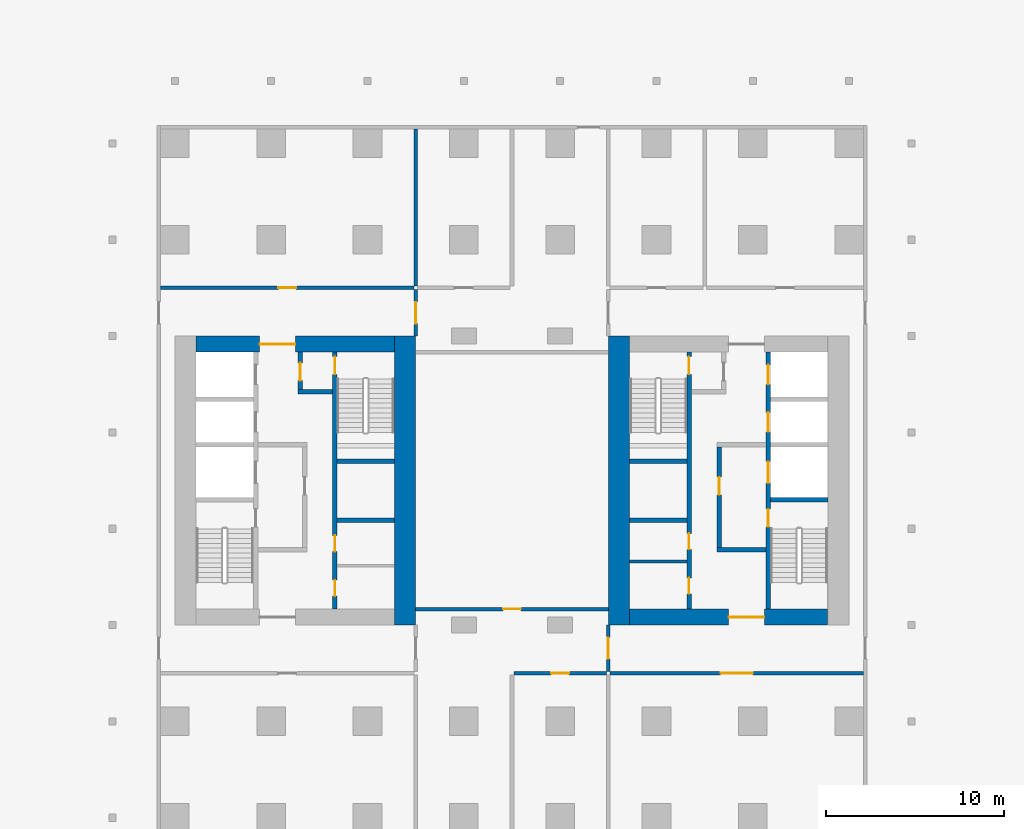
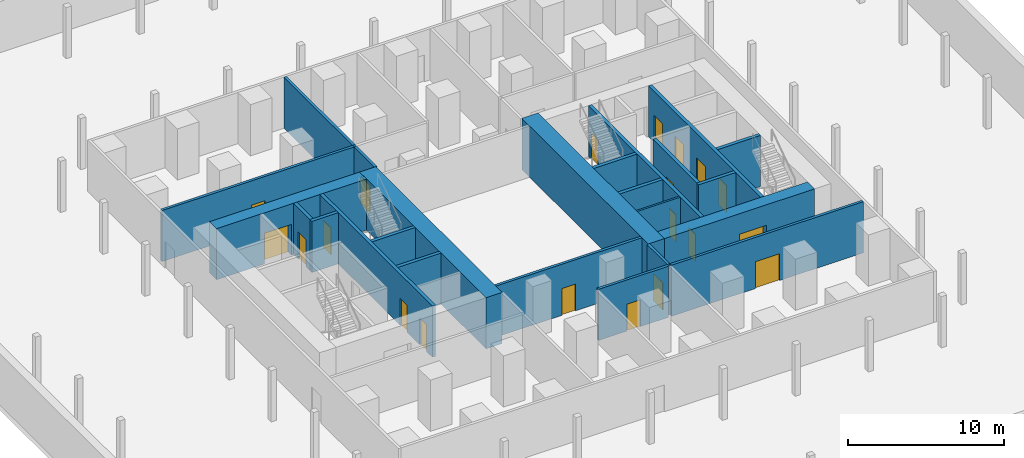
# One storey, part 3 of 6: 24 walls, 20 doors, 20 openings.
"""IFC4 building model written with IfcOpenShell, lengths in metres."""

import ifcopenshell
import ifcopenshell.guid

model = None  # the IFC model being written
_history = None  # IfcOwnerHistory: only IFC2X3 demands one
_inside = {}  # id of a spatial element -> (the spatial element, [elements in it])
_under = {}  # id of a project, library or spatial element -> (it, [spatial elements below it])
_declared = {}  # id of a project -> (the project, [libraries it declares])
_typed = {}  # id of a type object -> (the type object, [elements of that type])
_made_of = {}  # id of a material, layer set ... -> (it, [elements and type objects made of it])


def new_model(schema):
    """Start an empty IFC model of exactly this schema.

    Asked for "IFC4X3", IfcOpenShell would pick the latest addendum, in which some entities
    have other attributes; the version numbers below select the first issue.
    IFC2X3 requires an IfcOwnerHistory on every rooted entity: one is made here for all.
    """
    global model, _history
    if schema == "IFC4X3":
        model = ifcopenshell.file(schema_version=(4, 3, 0, 0))
    else:
        model = ifcopenshell.file(schema=schema)
    _inside.clear()
    _under.clear()
    _declared.clear()
    _typed.clear()
    _made_of.clear()
    _history = None
    if model.schema == "IFC2X3":
        org = make("IfcOrganization", Name="unknown")
        user = make(
            "IfcPersonAndOrganization",
            ThePerson=make("IfcPerson", FamilyName="unknown"),
            TheOrganization=org,
        )
        app = make(
            "IfcApplication",
            ApplicationDeveloper=org,
            Version="unknown",
            ApplicationFullName="unknown",
            ApplicationIdentifier="unknown",
        )
        _history = make(
            "IfcOwnerHistory",
            OwningUser=user,
            OwningApplication=app,
            ChangeAction="ADDED",
            CreationDate=0,
        )
    return model


def make(cls, **values):
    """One entity of the class cls with the attributes given. An attribute that is None is left unset."""
    return model.create_entity(
        cls, **{name: value for name, value in values.items() if value is not None}
    )


def rooted(cls, **values):
    """An entity with a GlobalId (a new one), such as an element, a storey or a relation."""
    return make(cls, GlobalId=ifcopenshell.guid.new(), OwnerHistory=_history, **values)


def si_unit(unit_type, name, prefix=None):
    """IfcSIUnit, for example si_unit("LENGTHUNIT", "METRE", prefix="MILLI")."""
    return make("IfcSIUnit", UnitType=unit_type, Prefix=prefix, Name=name)


def assignment(units):
    """IfcUnitAssignment: the units of a project."""
    return None if units is None else make("IfcUnitAssignment", Units=units)


def point(xyz):
    """IfcCartesianPoint."""
    return None if xyz is None else make("IfcCartesianPoint", Coordinates=xyz)


def direction(xyz):
    """IfcDirection."""
    return None if xyz is None else make("IfcDirection", DirectionRatios=xyz)


def frame(location, z_axis=None, x_axis=None):
    """IfcAxis2Placement3D, a coordinate frame: its origin and axes. An axis left out is left unset."""
    return make(
        "IfcAxis2Placement3D",
        Location=point(location),
        Axis=direction(z_axis),
        RefDirection=direction(x_axis),
    )


def frame_2d(location, x_axis=None):
    """IfcAxis2Placement2D, a coordinate frame in the plane: its origin and x axis."""
    return make(
        "IfcAxis2Placement2D", Location=point(location), RefDirection=direction(x_axis)
    )


def origin():
    """The frame at (0, 0, 0) with its axes left unset."""
    return frame((0.0, 0.0, 0.0))


def place(relative_to, where):
    """IfcLocalPlacement: puts the frame where relative to a parent placement (None: the world)."""
    return make(
        "IfcLocalPlacement", PlacementRelTo=relative_to, RelativePlacement=where
    )


def context(
    kind, dimensions, precision=None, world=None, true_north=None, identifier=None
):
    """IfcGeometricRepresentationContext, for example the 3D "Model" context."""
    return make(
        "IfcGeometricRepresentationContext",
        ContextIdentifier=identifier,
        ContextType=kind,
        CoordinateSpaceDimension=dimensions,
        Precision=precision,
        WorldCoordinateSystem=world,
        TrueNorth=true_north,
    )


def subcontext(parent, identifier, kind, view, scale=None):
    """IfcGeometricRepresentationSubContext, for example "Body" below "Model"."""
    return make(
        "IfcGeometricRepresentationSubContext",
        ContextIdentifier=identifier,
        ContextType=kind,
        ParentContext=parent,
        TargetScale=scale,
        TargetView=view,
    )


def project(units=None, contexts=None):
    """IfcProject with its units and contexts."""
    return rooted(
        "IfcProject",
        Name="project",
        RepresentationContexts=contexts,
        UnitsInContext=assignment(units),
    )


def spatial(cls, under=None, at=None, **own):
    """A site, building, storey or space (cls), placed at a placement, below another one or the project."""
    s = rooted(cls, ObjectPlacement=at, **own)
    if under is not None:
        _under.setdefault(under.id(), (under, []))[1].append(s)
    return s


def profile(cls, at=None, kind="AREA", **sizes):
    """A parametric profile (cls). Its sizes go by their IFC names, for example OverallWidth=200.0."""
    return make(cls, ProfileType=kind, Position=at, **sizes)


def rectangle(**sizes):
    """IfcRectangleProfileDef."""
    return profile("IfcRectangleProfileDef", **sizes)


def extrude(swept, where, along, depth):
    """IfcExtrudedAreaSolid: the profile swept, set in the frame where, extruded along a direction by depth."""
    return make(
        "IfcExtrudedAreaSolid",
        SweptArea=swept,
        Position=where,
        ExtrudedDirection=direction(along),
        Depth=depth,
    )


def shape(context_of_items, identifier, shape_type, items):
    """IfcShapeRepresentation: the items that make up one representation, for example the "Body"."""
    return make(
        "IfcShapeRepresentation",
        ContextOfItems=context_of_items,
        RepresentationIdentifier=identifier,
        RepresentationType=shape_type,
        Items=items,
    )


def material(Name=None, Category=None):
    """IfcMaterial."""
    return make("IfcMaterial", Name=Name, Category=Category)


def layer(
    of_material, thickness, ventilated=None, Name=None, Category=None, Priority=None
):
    """IfcMaterialLayer: one layer of a wall or slab, of a material (None: an air gap)."""
    return make(
        "IfcMaterialLayer",
        Material=of_material,
        LayerThickness=thickness,
        IsVentilated=ventilated,
        Name=Name,
        Category=Category,
        Priority=Priority,
    )


def layer_set(layers, Name=None):
    """IfcMaterialLayerSet."""
    return make("IfcMaterialLayerSet", MaterialLayers=layers, LayerSetName=Name)


def made_of(thing, what):
    """Note that an element or type object is made of a material, layer set ...; save() writes the relation."""
    if what is not None:
        _made_of.setdefault(what.id(), (what, []))[1].append(thing)
    return thing


def type_object(cls, material=None, **own):
    """A type object (cls), such as IfcWallType, which elements share."""
    return made_of(rooted(cls, **own), material)


def element(
    cls,
    number,
    at=None,
    inside=None,
    cuts=None,
    type_object=None,
    material=None,
    context=None,
    identifier="Body",
    shape_type=None,
    held_by="IfcProductDefinitionShape",
    body=None,
    shapes=None,
    **own,
):
    """One element of the class cls, such as IfcWall. Its Tag is "e" and its number.

    at: its placement. inside: the storey or other place that contains it. cuts: it is an
    opening in that element (IfcRelVoidsElement). A single representation is given by context,
    identifier, shape_type and body (its items); several are given by shapes. held_by: the class
    of the entity that holds the representations. save() writes the other relations.
    """
    e = rooted(cls, Tag="e%d" % number, ObjectPlacement=at, **own)
    if body is not None:
        shapes = [shape(context, identifier, shape_type, body)]
    if shapes is not None:
        e.Representation = make(held_by, Representations=shapes)
    if inside is not None:
        _inside.setdefault(inside.id(), (inside, []))[1].append(e)
    if cuts is not None:
        rooted(
            "IfcRelVoidsElement", RelatingBuildingElement=cuts, RelatedOpeningElement=e
        )
    if type_object is not None:
        _typed.setdefault(type_object.id(), (type_object, []))[1].append(e)
    return made_of(e, material)


def fill(opening, filler):
    """IfcRelFillsElement: the door or window that sits in an opening."""
    return rooted(
        "IfcRelFillsElement",
        RelatingOpeningElement=opening,
        RelatedBuildingElement=filler,
    )


def aggregate(whole, parts):
    """IfcRelAggregates: a whole, such as a stair, and the parts it consists of."""
    return rooted("IfcRelAggregates", RelatingObject=whole, RelatedObjects=parts)


def save(model, path):
    """Write the relations noted so far, then the file.

    IfcRelAggregates (storeys below a building ...), IfcRelContainedInSpatialStructure (elements
    in a storey), IfcRelDefinesByType, IfcRelAssociatesMaterial and IfcRelDeclares: one each for
    every whole, place, type object, material and project.
    """
    for whole, parts in _under.values():
        aggregate(whole, parts)
    for where, things in _inside.values():
        rooted(
            "IfcRelContainedInSpatialStructure",
            RelatedElements=things,
            RelatingStructure=where,
        )
    for kind, things in _typed.values():
        rooted("IfcRelDefinesByType", RelatedObjects=things, RelatingType=kind)
    for what, things in _made_of.values():
        rooted("IfcRelAssociatesMaterial", RelatedObjects=things, RelatingMaterial=what)
    for by, libraries in _declared.values():
        rooted("IfcRelDeclares", RelatingContext=by, RelatedDefinitions=libraries)
    model.write(path)


model = new_model("IFC4")

# Units and contexts
model_context = context("Model", 3, precision=1e-05, world=origin(), true_north=direction((0.0, 1.0)))
body_context = subcontext(model_context, "Body", "Model", "MODEL_VIEW")
ifc_project = project(units=[si_unit("LENGTHUNIT", "METRE"), si_unit("AREAUNIT", "SQUARE_METRE"), si_unit("VOLUMEUNIT", "CUBIC_METRE"), si_unit("PLANEANGLEUNIT", "RADIAN"), si_unit("MASSUNIT", "GRAM", prefix="KILO")], contexts=[model_context])

# Site, building, storey
site_placement = place(None, origin())
site = spatial("IfcSite", under=ifc_project, at=site_placement, CompositionType="ELEMENT")
building_placement = place(site_placement, origin())
building = spatial("IfcBuilding", under=site, at=building_placement, Name="Tabaq Tower and Sports Hall", CompositionType="ELEMENT")
storey_placement = place(building_placement, frame((0.0, 0.0, -4.5)))
storey = spatial("IfcBuildingStorey", under=building, at=storey_placement, Name="B01", CompositionType="ELEMENT", Elevation=-4.5)

# Wall
ifc_material_1 = material(Name="Blockwork", Category="masonry")
ifc_layer_1 = layer(ifc_material_1, 0.199951171875)
ifc_layer_set_1 = layer_set([ifc_layer_1], Name="Blockwork Wall 200 EI 60")
wall_type_1 = type_object("IfcWallType", Name="Blockwork Wall 200 EI 60", PredefinedType="PARTITIONING", material=ifc_layer_set_1)
wall_1_placement = place(storey_placement, frame((18.89990234375, 35.199951171875, 0.0), z_axis=(0.0, 0.0, 1.0), x_axis=(0.0, 1.0, 0.0)))
element("IfcWall", 1, at=wall_1_placement, inside=storey, type_object=wall_type_1, Name="Wall B01-08", PredefinedType="PARTITIONING", context=body_context, shape_type="SweptSolid", body=[
    extrude(rectangle(XDim=8.800048828125, YDim=0.199951171875, at=frame_2d((4.39990234375, 0.0))), origin(), (0.0, 0.0, 1.0), 4.0),
])

# Wall, opening, door
wall_2_placement = place(storey_placement, frame((24.39990234375, 13.5, 0.0), z_axis=(0.0, 0.0, 1.0), x_axis=(1.0, 0.0, 0.0)))
wall_2 = element("IfcWall", 2, at=wall_2_placement, inside=storey, type_object=wall_type_1, Name="Wall B01-13", PredefinedType="PARTITIONING", context=body_context, shape_type="SweptSolid", body=[
    extrude(rectangle(XDim=5.2001953125, YDim=0.199951171875, at=frame_2d((2.60009765625, 0.0))), origin(), (0.0, 0.0, 1.0), 4.0),
])
opening_1_placement = place(wall_2_placement, frame((2.10009765625, 0.0, 0.0)))
opening_1 = element("IfcOpeningElement", 3, at=opening_1_placement, cuts=wall_2, Name="Opening B01-08", PredefinedType="OPENING", context=body_context, shape_type="SweptSolid", body=[
    extrude(rectangle(XDim=1.0, YDim=2.10009765625, at=frame_2d((0.5, 1.050048828125))), frame((0.0, 0.10986328125, 0.0), z_axis=(0.0, -1.0, 0.0), x_axis=(1.0, 0.0, 0.0)), (0.0, 0.0, 1.0), 0.219970703125),
])
ifc_material_2 = material(Name="Hollow metal fire door")
door_type_1 = type_object("IfcDoorType", Name="Basement Door 1000 FD60S", OperationType="SINGLE_SWING_LEFT", PredefinedType="DOOR", material=ifc_material_2)
door_1_placement = place(opening_1_placement, origin())
door_1 = element("IfcDoor", 4, at=door_1_placement, inside=storey, type_object=door_type_1, Name="Door B01-08", OperationType="SINGLE_SWING_LEFT", OverallHeight=2.10009765625, OverallWidth=1.0, PredefinedType="DOOR", context=body_context, shape_type="SweptSolid", body=[
    extrude(rectangle(XDim=1.0, YDim=2.10009765625, at=frame_2d((0.5, 1.050048828125))), frame((0.0, 0.02490234375, 0.0), z_axis=(0.0, -1.0, 0.0), x_axis=(1.0, 0.0, 0.0)), (0.0, 0.0, 1.0), 0.050048828125),
])
fill(opening_1, door_1)

wall_3_placement = place(storey_placement, frame((29.800048828125, 13.5, 0.0), z_axis=(0.0, 0.0, 1.0), x_axis=(1.0, 0.0, 0.0)))
wall_3 = element("IfcWall", 5, at=wall_3_placement, inside=storey, type_object=wall_type_1, Name="Wall B01-14", PredefinedType="PARTITIONING", context=body_context, shape_type="SweptSolid", body=[
    extrude(rectangle(XDim=14.199951171875, YDim=0.199951171875, at=frame_2d((7.10009765625, 0.0))), origin(), (0.0, 0.0, 1.0), 4.0),
])
opening_2_placement = place(wall_3_placement, frame((6.199951171875, 0.0, 0.0)))
opening_2 = element("IfcOpeningElement", 6, at=opening_2_placement, cuts=wall_3, Name="Opening B01-09", PredefinedType="OPENING", context=body_context, shape_type="SweptSolid", body=[
    extrude(rectangle(XDim=1.800048828125, YDim=2.10009765625, at=frame_2d((0.89990234375, 1.050048828125))), frame((0.0, 0.10986328125, 0.0), z_axis=(0.0, -1.0, 0.0), x_axis=(1.0, 0.0, 0.0)), (0.0, 0.0, 1.0), 0.219970703125),
])
ifc_material_3 = material(Name="Hollow metal fire door")
door_type_2 = type_object("IfcDoorType", Name="Basement Door 1800 FD60S", OperationType="DOUBLE_DOOR_SINGLE_SWING", PredefinedType="DOOR", material=ifc_material_3)
door_2_placement = place(opening_2_placement, origin())
door_2 = element("IfcDoor", 7, at=door_2_placement, inside=storey, type_object=door_type_2, Name="Door B01-09", OperationType="DOUBLE_DOOR_SINGLE_SWING", OverallHeight=2.10009765625, OverallWidth=1.800048828125, PredefinedType="DOOR", context=body_context, shape_type="SweptSolid", body=[
    extrude(rectangle(XDim=1.800048828125, YDim=2.10009765625, at=frame_2d((0.89990234375, 1.050048828125))), frame((0.0, 0.02490234375, 0.0), z_axis=(0.0, -1.0, 0.0), x_axis=(1.0, 0.0, 0.0)), (0.0, 0.0, 1.0), 0.050048828125),
])
fill(opening_2, door_2)

wall_4_placement = place(storey_placement, frame((4.60009765625, 35.10009765625, 0.0), z_axis=(0.0, 0.0, 1.0), x_axis=(1.0, 0.0, 0.0)))
wall_4 = element("IfcWall", 8, at=wall_4_placement, inside=storey, type_object=wall_type_1, Name="Wall B01-15", PredefinedType="PARTITIONING", context=body_context, shape_type="SweptSolid", body=[
    extrude(rectangle(XDim=14.199951171875, YDim=0.199951171875, at=frame_2d((7.10009765625, 0.0))), origin(), (0.0, 0.0, 1.0), 4.0),
])
opening_3_placement = place(wall_4_placement, frame((6.60009765625, 0.0, 0.0)))
opening_3 = element("IfcOpeningElement", 9, at=opening_3_placement, cuts=wall_4, Name="Opening B01-10", PredefinedType="OPENING", context=body_context, shape_type="SweptSolid", body=[
    extrude(rectangle(XDim=1.0, YDim=2.10009765625, at=frame_2d((0.5, 1.050048828125))), frame((0.0, 0.10986328125, 0.0), z_axis=(0.0, -1.0, 0.0), x_axis=(1.0, 0.0, 0.0)), (0.0, 0.0, 1.0), 0.219970703125),
])
door_3_placement = place(opening_3_placement, origin())
door_3 = element("IfcDoor", 10, at=door_3_placement, inside=storey, type_object=door_type_1, Name="Door B01-10", OperationType="SINGLE_SWING_LEFT", OverallHeight=2.10009765625, OverallWidth=1.0, PredefinedType="DOOR", context=body_context, shape_type="SweptSolid", body=[
    extrude(rectangle(XDim=1.0, YDim=2.10009765625, at=frame_2d((0.5, 1.050048828125))), frame((0.0, 0.02490234375, 0.0), z_axis=(0.0, -1.0, 0.0), x_axis=(1.0, 0.0, 0.0)), (0.0, 0.0, 1.0), 0.050048828125),
])
fill(opening_3, door_3)

wall_5_placement = place(storey_placement, frame((18.89990234375, 32.39990234375, 0.0), z_axis=(0.0, 0.0, 1.0), x_axis=(0.0, 1.0, 0.0)))
wall_5 = element("IfcWall", 11, at=wall_5_placement, inside=storey, type_object=wall_type_1, Name="Wall B01-20", PredefinedType="PARTITIONING", context=body_context, shape_type="SweptSolid", body=[
    extrude(rectangle(XDim=2.60009765625, YDim=0.199951171875, at=frame_2d((1.300048828125, 0.0))), origin(), (0.0, 0.0, 1.0), 4.0),
])
opening_4_placement = place(wall_5_placement, frame((0.699951171875, 0.0, 0.0)))
opening_4 = element("IfcOpeningElement", 12, at=opening_4_placement, cuts=wall_5, Name="Opening B01-15", PredefinedType="OPENING", context=body_context, shape_type="SweptSolid", body=[
    extrude(rectangle(XDim=1.199951171875, YDim=2.10009765625, at=frame_2d((0.60009765625, 1.050048828125))), frame((0.0, 0.10986328125, 0.0), z_axis=(0.0, -1.0, 0.0), x_axis=(1.0, 0.0, 0.0)), (0.0, 0.0, 1.0), 0.219970703125),
])
ifc_material_4 = material(Name="Hollow metal fire door")
door_type_3 = type_object("IfcDoorType", Name="Basement Door 1200 FD60S", OperationType="SINGLE_SWING_LEFT", PredefinedType="DOOR", material=ifc_material_4)
door_4_placement = place(opening_4_placement, origin())
door_4 = element("IfcDoor", 13, at=door_4_placement, inside=storey, type_object=door_type_3, Name="Door B01-15", OperationType="SINGLE_SWING_LEFT", OverallHeight=2.10009765625, OverallWidth=1.199951171875, PredefinedType="DOOR", context=body_context, shape_type="SweptSolid", body=[
    extrude(rectangle(XDim=1.199951171875, YDim=2.10009765625, at=frame_2d((0.60009765625, 1.050048828125))), frame((0.0, 0.02490234375, 0.0), z_axis=(0.0, -1.0, 0.0), x_axis=(1.0, 0.0, 0.0)), (0.0, 0.0, 1.0), 0.050048828125),
])
fill(opening_4, door_4)

wall_6_placement = place(storey_placement, frame((29.699951171875, 13.60009765625, 0.0), z_axis=(0.0, 0.0, 1.0), x_axis=(0.0, 1.0, 0.0)))
wall_6 = element("IfcWall", 14, at=wall_6_placement, inside=storey, type_object=wall_type_1, Name="Wall B01-21", PredefinedType="PARTITIONING", context=body_context, shape_type="SweptSolid", body=[
    extrude(rectangle(XDim=2.599853515625, YDim=0.199951171875, at=frame_2d((1.2998046875, 0.0))), origin(), (0.0, 0.0, 1.0), 4.0),
])
opening_5_placement = place(wall_6_placement, frame((0.699951171875, 0.0, 0.0)))
opening_5 = element("IfcOpeningElement", 15, at=opening_5_placement, cuts=wall_6, Name="Opening B01-16", PredefinedType="OPENING", context=body_context, shape_type="SweptSolid", body=[
    extrude(rectangle(XDim=1.199951171875, YDim=2.10009765625, at=frame_2d((0.60009765625, 1.050048828125))), frame((0.0, 0.10986328125, 0.0), z_axis=(0.0, -1.0, 0.0), x_axis=(1.0, 0.0, 0.0)), (0.0, 0.0, 1.0), 0.219970703125),
])
door_5_placement = place(opening_5_placement, origin())
door_5 = element("IfcDoor", 16, at=door_5_placement, inside=storey, type_object=door_type_3, Name="Door B01-16", OperationType="SINGLE_SWING_LEFT", OverallHeight=2.10009765625, OverallWidth=1.199951171875, PredefinedType="DOOR", context=body_context, shape_type="SweptSolid", body=[
    extrude(rectangle(XDim=1.199951171875, YDim=2.10009765625, at=frame_2d((0.60009765625, 1.050048828125))), frame((0.0, 0.02490234375, 0.0), z_axis=(0.0, -1.0, 0.0), x_axis=(1.0, 0.0, 0.0)), (0.0, 0.0, 1.0), 0.050048828125),
])
fill(opening_5, door_5)

wall_7_placement = place(storey_placement, frame((18.89990234375, 17.10009765625, 0.0), z_axis=(0.0, 0.0, 1.0), x_axis=(1.0, 0.0, 0.0)))
wall_7 = element("IfcWall", 17, at=wall_7_placement, inside=storey, type_object=wall_type_1, Name="Wall B01-23", PredefinedType="PARTITIONING", context=body_context, shape_type="SweptSolid", body=[
    extrude(rectangle(XDim=10.800048828125, YDim=0.199951171875, at=frame_2d((5.39990234375, 0.0))), origin(), (0.0, 0.0, 1.0), 4.0),
])
opening_6_placement = place(wall_7_placement, frame((4.89990234375, 0.0, 0.0)))
opening_6 = element("IfcOpeningElement", 18, at=opening_6_placement, cuts=wall_7, Name="Opening B01-18", PredefinedType="OPENING", context=body_context, shape_type="SweptSolid", body=[
    extrude(rectangle(XDim=1.0, YDim=2.10009765625, at=frame_2d((0.5, 1.050048828125))), frame((0.0, 0.10986328125, 0.0), z_axis=(0.0, -1.0, 0.0), x_axis=(1.0, 0.0, 0.0)), (0.0, 0.0, 1.0), 0.219970703125),
])
door_6_placement = place(opening_6_placement, origin())
door_6 = element("IfcDoor", 19, at=door_6_placement, inside=storey, type_object=door_type_1, Name="Door B01-18", OperationType="SINGLE_SWING_LEFT", OverallHeight=2.10009765625, OverallWidth=1.0, PredefinedType="DOOR", context=body_context, shape_type="SweptSolid", body=[
    extrude(rectangle(XDim=1.0, YDim=2.10009765625, at=frame_2d((0.5, 1.050048828125))), frame((0.0, 0.02490234375, 0.0), z_axis=(0.0, -1.0, 0.0), x_axis=(1.0, 0.0, 0.0)), (0.0, 0.0, 1.0), 0.050048828125),
])
fill(opening_6, door_6)

# Walls
ifc_material_5 = material(Name="Blockwork", Category="masonry")
ifc_layer_2 = layer(ifc_material_5, 0.14990234375)
ifc_layer_set_2 = layer_set([ifc_layer_2], Name="Core room partition 150 Blockwork")
wall_type_2 = type_object("IfcWallType", Name="Core room partition 150 Blockwork", PredefinedType="PARTITIONING", material=ifc_layer_set_2)
wall_8_placement = place(storey_placement, frame((30.89990234375, 19.76708984375, 0.0), z_axis=(0.0, 0.0, 1.0), x_axis=(1.0, 0.0, 0.0)))
element("IfcWall", 20, at=wall_8_placement, inside=storey, type_object=wall_type_2, Name="Core room partition E B01", PredefinedType="PARTITIONING", context=body_context, shape_type="SweptSolid", body=[
    extrude(rectangle(XDim=3.2001953125, YDim=0.14990234375, at=frame_2d((1.60009765625, 0.0))), origin(), (0.0, 0.0, 1.0), 4.0),
])
ifc_material_6 = material(Name="Concrete C60/75", Category="concrete")
ifc_layer_3 = layer(ifc_material_6, 1.199951171875)
ifc_layer_set_3 = layer_set([ifc_layer_3], Name="Core wall 1200 Concrete C60/75")
wall_type_3 = type_object("IfcWallType", Name="Core wall 1200 Concrete C60/75", PredefinedType="SOLIDWALL", material=ifc_layer_set_3)
for number, where, z_axis, x_axis, name in (
    (21, (18.300048828125, 32.39990234375, 0.0), (0.0, 0.0, 1.0), (0.0, -1.0, 0.0), "Core wall W B01"),
    (22, (30.300048828125, 16.199951171875, 0.0), (0.0, 0.0, 1.0), (0.0, 1.0, 0.0), "Core wall E B01"),
):
    element("IfcWall", number, at=place(storey_placement, frame(where, z_axis=z_axis, x_axis=x_axis)), inside=storey, type_object=wall_type_3, Name=name, PredefinedType="SOLIDWALL", context=body_context, shape_type="SweptSolid", body=[
        extrude(rectangle(XDim=16.199951171875, YDim=1.199951171875, at=frame_2d((8.10009765625, 0.0))), origin(), (0.0, 0.0, 1.0), 4.0),
    ])

# Wall, opening, door
ifc_material_7 = material(Name="Concrete C60/75", Category="concrete")
ifc_layer_4 = layer(ifc_material_7, 0.89990234375)
ifc_layer_set_4 = layer_set([ifc_layer_4], Name="Core wall 900 Concrete C60/75")
wall_type_4 = type_object("IfcWallType", Name="Core wall 900 Concrete C60/75", PredefinedType="SOLIDWALL", material=ifc_layer_set_4)
wall_9_placement = place(storey_placement, frame((6.60009765625, 31.949951171875, 0.0), z_axis=(0.0, 0.0, 1.0), x_axis=(1.0, 0.0, 0.0)))
wall_9 = element("IfcWall", 23, at=wall_9_placement, inside=storey, type_object=wall_type_4, Name="Core wall W B01", PredefinedType="SOLIDWALL", context=body_context, shape_type="SweptSolid", body=[
    extrude(rectangle(XDim=11.099853515625, YDim=0.89990234375, at=frame_2d((5.5498046875, 0.0))), origin(), (0.0, 0.0, 1.0), 4.0),
])
opening_7_placement = place(wall_9_placement, frame((3.550048828125, 0.0, 0.0)))
opening_7 = element("IfcOpeningElement", 24, at=opening_7_placement, cuts=wall_9, Name="Opening PD-WB01-02", PredefinedType="OPENING", context=body_context, shape_type="SweptSolid", body=[
    extrude(rectangle(XDim=2.0, YDim=2.39990234375, at=frame_2d((1.0, 1.199951171875))), frame((0.0, 0.449951171875, 0.0), z_axis=(0.0, -1.0, 0.0), x_axis=(1.0, 0.0, 0.0)), (0.0, 0.0, 1.0), 0.89990234375),
])
ifc_material_8 = material(Name="Steel fire door", Category="steel")
door_type_4 = type_object("IfcDoorType", Name="Core entrance door 2000", OperationType="DOUBLE_DOOR_SINGLE_SWING", PredefinedType="DOOR", material=ifc_material_8)
door_7_placement = place(opening_7_placement, origin())
door_7 = element("IfcDoor", 25, at=door_7_placement, inside=storey, type_object=door_type_4, Name="Core entrance north W B01", OperationType="DOUBLE_DOOR_SINGLE_SWING", OverallHeight=2.39990234375, OverallWidth=2.0, PredefinedType="DOOR", context=body_context, shape_type="SweptSolid", body=[
    extrude(rectangle(XDim=2.0, YDim=2.39990234375, at=frame_2d((1.0, 1.199951171875))), frame((0.0, 0.02490234375, 0.0), z_axis=(0.0, -1.0, 0.0), x_axis=(1.0, 0.0, 0.0)), (0.0, 0.0, 1.0), 0.050048828125),
])
fill(opening_7, door_7)

wall_10_placement = place(storey_placement, frame((42.0, 16.64990234375, 0.0), z_axis=(0.0, 0.0, 1.0), x_axis=(-1.0, 0.0, 0.0)))
wall_10 = element("IfcWall", 26, at=wall_10_placement, inside=storey, type_object=wall_type_4, Name="Core wall E B01", PredefinedType="SOLIDWALL", context=body_context, shape_type="SweptSolid", body=[
    extrude(rectangle(XDim=11.10009765625, YDim=0.89990234375, at=frame_2d((5.550048828125, 0.0))), origin(), (0.0, 0.0, 1.0), 4.0),
])
opening_8_placement = place(wall_10_placement, frame((3.550048828125, 0.0, 0.0)))
opening_8 = element("IfcOpeningElement", 27, at=opening_8_placement, cuts=wall_10, Name="Opening PD-EB01-01", PredefinedType="OPENING", context=body_context, shape_type="SweptSolid", body=[
    extrude(rectangle(XDim=2.0, YDim=2.39990234375, at=frame_2d((1.0, 1.199951171875))), frame((0.0, 0.449951171875, 0.0), z_axis=(0.0, -1.0, 0.0), x_axis=(1.0, 0.0, 0.0)), (0.0, 0.0, 1.0), 0.89990234375),
])
door_8_placement = place(opening_8_placement, origin())
door_8 = element("IfcDoor", 28, at=door_8_placement, inside=storey, type_object=door_type_4, Name="Core entrance south E B01", OperationType="DOUBLE_DOOR_SINGLE_SWING", OverallHeight=2.39990234375, OverallWidth=2.0, PredefinedType="DOOR", context=body_context, shape_type="SweptSolid", body=[
    extrude(rectangle(XDim=2.0, YDim=2.39990234375, at=frame_2d((1.0, 1.199951171875))), frame((0.0, 0.02490234375, 0.0), z_axis=(0.0, -1.0, 0.0), x_axis=(1.0, 0.0, 0.0)), (0.0, 0.0, 1.0), 0.050048828125),
])
fill(opening_8, door_8)

# Wall, openings, doors
ifc_material_9 = material(Name="Concrete C40/50", Category="concrete")
ifc_layer_5 = layer(ifc_material_9, 0.25)
ifc_layer_set_5 = layer_set([ifc_layer_5], Name="Shaft and stair wall 250 Concrete C40/50")
wall_type_5 = type_object("IfcWallType", Name="Shaft and stair wall 250 Concrete C40/50", PredefinedType="SOLIDWALL", material=ifc_layer_set_5)
wall_11_placement = place(storey_placement, frame((14.375, 17.10009765625, 0.0), z_axis=(0.0, 0.0, 1.0), x_axis=(0.0, 1.0, 0.0)))
wall_11 = element("IfcWall", 29, at=wall_11_placement, inside=storey, type_object=wall_type_5, Name="Shaft wall W B01", PredefinedType="SOLIDWALL", context=body_context, shape_type="SweptSolid", body=[
    extrude(rectangle(XDim=14.39990234375, YDim=0.25, at=frame_2d((7.199951171875, 0.0))), origin(), (0.0, 0.0, 1.0), 4.0),
])
opening_9_placement = place(wall_11_placement, frame((13.14990234375, 0.0, 0.0)))
opening_9 = element("IfcOpeningElement", 30, at=opening_9_placement, cuts=wall_11, Name="Opening SD-WB01-05", PredefinedType="OPENING", context=body_context, shape_type="SweptSolid", body=[
    extrude(rectangle(XDim=1.0, YDim=2.10009765625, at=frame_2d((0.5, 1.050048828125))), frame((0.0, 0.125, 0.0), z_axis=(0.0, -1.0, 0.0), x_axis=(1.0, 0.0, 0.0)), (0.0, 0.0, 1.0), 0.25),
])
opening_10_placement = place(wall_11_placement, frame((0.72509765625, 0.0, 0.0)))
opening_10 = element("IfcOpeningElement", 31, at=opening_10_placement, cuts=wall_11, Name="Opening RD-WB01-10", PredefinedType="OPENING", context=body_context, shape_type="SweptSolid", body=[
    extrude(rectangle(XDim=0.89990234375, YDim=2.10009765625, at=frame_2d((0.449951171875, 1.050048828125))), frame((0.0, 0.125, 0.0), z_axis=(0.0, -1.0, 0.0), x_axis=(1.0, 0.0, 0.0)), (0.0, 0.0, 1.0), 0.25),
])
opening_11_placement = place(wall_11_placement, frame((3.22509765625, 0.0, 0.0)))
opening_11 = element("IfcOpeningElement", 32, at=opening_11_placement, cuts=wall_11, Name="Opening RD-WB01-11", PredefinedType="OPENING", context=body_context, shape_type="SweptSolid", body=[
    extrude(rectangle(XDim=0.89990234375, YDim=2.10009765625, at=frame_2d((0.449951171875, 1.050048828125))), frame((0.0, 0.125, 0.0), z_axis=(0.0, -1.0, 0.0), x_axis=(1.0, 0.0, 0.0)), (0.0, 0.0, 1.0), 0.25),
])
ifc_material_10 = material(Name="Steel fire door", Category="steel")
door_type_5 = type_object("IfcDoorType", Name="Core room door 900", OperationType="SINGLE_SWING_LEFT", PredefinedType="DOOR", material=ifc_material_10)
door_9_placement = place(opening_10_placement, origin())
door_9 = element("IfcDoor", 33, at=door_9_placement, inside=storey, type_object=door_type_5, Name="Door Pump Room W B01", OperationType="SINGLE_SWING_LEFT", OverallHeight=2.10009765625, OverallWidth=0.89990234375, PredefinedType="DOOR", context=body_context, shape_type="SweptSolid", body=[
    extrude(rectangle(XDim=0.89990234375, YDim=2.10009765625, at=frame_2d((0.449951171875, 1.050048828125))), frame((0.0, 0.02490234375, 0.0), z_axis=(0.0, -1.0, 0.0), x_axis=(1.0, 0.0, 0.0)), (0.0, 0.0, 1.0), 0.050048828125),
])
fill(opening_10, door_9)
door_10_placement = place(opening_11_placement, origin())
door_10 = element("IfcDoor", 34, at=door_10_placement, inside=storey, type_object=door_type_5, Name="Door Valve Room W B01", OperationType="SINGLE_SWING_LEFT", OverallHeight=2.10009765625, OverallWidth=0.89990234375, PredefinedType="DOOR", context=body_context, shape_type="SweptSolid", body=[
    extrude(rectangle(XDim=0.89990234375, YDim=2.10009765625, at=frame_2d((0.449951171875, 1.050048828125))), frame((0.0, 0.02490234375, 0.0), z_axis=(0.0, -1.0, 0.0), x_axis=(1.0, 0.0, 0.0)), (0.0, 0.0, 1.0), 0.050048828125),
])
fill(opening_11, door_10)
ifc_material_11 = material(Name="Steel fire door", Category="steel")
door_type_6 = type_object("IfcDoorType", Name="Stair door 1000", OperationType="SINGLE_SWING_LEFT", PredefinedType="DOOR", material=ifc_material_11)
door_11_placement = place(opening_9_placement, origin())
door_11 = element("IfcDoor", 35, at=door_11_placement, inside=storey, type_object=door_type_6, Name="Stair door ST2 W B01", OperationType="SINGLE_SWING_LEFT", OverallHeight=2.10009765625, OverallWidth=1.0, PredefinedType="DOOR", context=body_context, shape_type="SweptSolid", body=[
    extrude(rectangle(XDim=1.0, YDim=2.10009765625, at=frame_2d((0.5, 1.050048828125))), frame((0.0, 0.02490234375, 0.0), z_axis=(0.0, -1.0, 0.0), x_axis=(1.0, 0.0, 0.0)), (0.0, 0.0, 1.0), 0.050048828125),
])
fill(opening_9, door_11)

# Walls
for number, where, z_axis, x_axis, name in (
    (36, (14.5, 25.375, 0.0), (0.0, 0.0, 1.0), (1.0, 0.0, 0.0), "Stair enclosure wall W B01"),
    (37, (14.5, 22.074951171875, 0.0), (0.0, 0.0, 1.0), (1.0, 0.0, 0.0), "Shaft wall W B01"),
):
    element("IfcWall", number, at=place(storey_placement, frame(where, z_axis=z_axis, x_axis=x_axis)), inside=storey, type_object=wall_type_5, Name=name, PredefinedType="SOLIDWALL", context=body_context, shape_type="SweptSolid", body=[
        extrude(rectangle(XDim=3.199951171875, YDim=0.25, at=frame_2d((1.60009765625, 0.0))), origin(), (0.0, 0.0, 1.0), 4.0),
    ])

# Wall, opening, door
wall_12_placement = place(storey_placement, frame((12.425048828125, 29.39990234375, 0.0), z_axis=(0.0, 0.0, 1.0), x_axis=(0.0, 1.0, 0.0)))
wall_12 = element("IfcWall", 38, at=wall_12_placement, inside=storey, type_object=wall_type_5, Name="Fire-fighting lobby wall W B01", PredefinedType="SOLIDWALL", context=body_context, shape_type="SweptSolid", body=[
    extrude(rectangle(XDim=2.10009765625, YDim=0.25, at=frame_2d((1.050048828125, 0.0))), origin(), (0.0, 0.0, 1.0), 4.0),
])
opening_12_placement = place(wall_12_placement, frame((0.5, 0.0, 0.0)))
opening_12 = element("IfcOpeningElement", 39, at=opening_12_placement, cuts=wall_12, Name="Opening FD-WB01-06", PredefinedType="OPENING", context=body_context, shape_type="SweptSolid", body=[
    extrude(rectangle(XDim=1.0, YDim=2.10009765625, at=frame_2d((0.5, 1.050048828125))), frame((0.0, 0.125, 0.0), z_axis=(0.0, -1.0, 0.0), x_axis=(1.0, 0.0, 0.0)), (0.0, 0.0, 1.0), 0.25),
])
ifc_material_12 = material(Name="Steel fire door", Category="steel")
door_type_7 = type_object("IfcDoorType", Name="Fire-fighting lobby door 1000", OperationType="SINGLE_SWING_LEFT", PredefinedType="DOOR", material=ifc_material_12)
door_12_placement = place(opening_12_placement, origin())
door_12 = element("IfcDoor", 40, at=door_12_placement, inside=storey, type_object=door_type_7, Name="Stair lobby door W B01", OperationType="SINGLE_SWING_LEFT", OverallHeight=2.10009765625, OverallWidth=1.0, PredefinedType="DOOR", context=body_context, shape_type="SweptSolid", body=[
    extrude(rectangle(XDim=1.0, YDim=2.10009765625, at=frame_2d((0.5, 1.050048828125))), frame((0.0, 0.02490234375, 0.0), z_axis=(0.0, -1.0, 0.0), x_axis=(1.0, 0.0, 0.0)), (0.0, 0.0, 1.0), 0.050048828125),
])
fill(opening_12, door_12)

# Wall
wall_13_placement = place(storey_placement, frame((12.300048828125, 29.27490234375, 0.0), z_axis=(0.0, 0.0, 1.0), x_axis=(1.0, 0.0, 0.0)))
element("IfcWall", 41, at=wall_13_placement, inside=storey, type_object=wall_type_5, Name="Fire-fighting lobby wall W B01", PredefinedType="SOLIDWALL", context=body_context, shape_type="SweptSolid", body=[
    extrude(rectangle(XDim=1.949951171875, YDim=0.25, at=frame_2d((0.97509765625, 0.0))), origin(), (0.0, 0.0, 1.0), 4.0),
])

# Wall, openings, doors
wall_14_placement = place(storey_placement, frame((38.675048828125, 17.10009765625, 0.0), z_axis=(0.0, 0.0, 1.0), x_axis=(0.0, 1.0, 0.0)))
wall_14 = element("IfcWall", 42, at=wall_14_placement, inside=storey, type_object=wall_type_5, Name="Shaft wall E B01", PredefinedType="SOLIDWALL", context=body_context, shape_type="SweptSolid", body=[
    extrude(rectangle(XDim=14.39990234375, YDim=0.25, at=frame_2d((7.199951171875, 0.0))), origin(), (0.0, 0.0, 1.0), 4.0),
])
opening_13_placement = place(wall_14_placement, frame((4.60009765625, 0.0, 0.0)))
opening_13 = element("IfcOpeningElement", 43, at=opening_13_placement, cuts=wall_14, Name="Opening SD-EB01-03", PredefinedType="OPENING", context=body_context, shape_type="SweptSolid", body=[
    extrude(rectangle(XDim=1.0, YDim=2.10009765625, at=frame_2d((0.5, 1.050048828125))), frame((0.0, 0.125, 0.0), z_axis=(0.0, -1.0, 0.0), x_axis=(1.0, 0.0, 0.0)), (0.0, 0.0, 1.0), 0.25),
])
opening_14_placement = place(wall_14_placement, frame((7.0625, 0.0, 0.0)))
opening_14 = element("IfcOpeningElement", 44, at=opening_14_placement, cuts=wall_14, Name="Opening LD-FF2-B01", PredefinedType="OPENING", context=body_context, shape_type="SweptSolid", body=[
    extrude(rectangle(XDim=1.199951171875, YDim=2.10009765625, at=frame_2d((0.60009765625, 1.050048828125))), frame((0.0, 0.125, 0.0), z_axis=(0.0, -1.0, 0.0), x_axis=(1.0, 0.0, 0.0)), (0.0, 0.0, 1.0), 0.25),
])
opening_15_placement = place(wall_14_placement, frame((9.925048828125, 0.0, 0.0)))
opening_15 = element("IfcOpeningElement", 45, at=opening_15_placement, cuts=wall_14, Name="Opening LD-LR3-B01", PredefinedType="OPENING", context=body_context, shape_type="SweptSolid", body=[
    extrude(rectangle(XDim=1.10009765625, YDim=2.10009765625, at=frame_2d((0.550048828125, 1.050048828125))), frame((0.0, 0.125, 0.0), z_axis=(0.0, -1.0, 0.0), x_axis=(1.0, 0.0, 0.0)), (0.0, 0.0, 1.0), 0.25),
])
opening_16_placement = place(wall_14_placement, frame((12.58740234375, 0.0, 0.0)))
opening_16 = element("IfcOpeningElement", 46, at=opening_16_placement, cuts=wall_14, Name="Opening LD-LR4-B01", PredefinedType="OPENING", context=body_context, shape_type="SweptSolid", body=[
    extrude(rectangle(XDim=1.10009765625, YDim=2.10009765625, at=frame_2d((0.550048828125, 1.050048828125))), frame((0.0, 0.125, 0.0), z_axis=(0.0, -1.0, 0.0), x_axis=(1.0, 0.0, 0.0)), (0.0, 0.0, 1.0), 0.25),
])
ifc_material_13 = material(Name="Stainless steel", Category="steel")
door_type_8 = type_object("IfcDoorType", Name="Lift landing door 1100", OperationType="DOUBLE_DOOR_SLIDING", PredefinedType="DOOR", material=ifc_material_13)
door_13_placement = place(opening_15_placement, origin())
door_13 = element("IfcDoor", 47, at=door_13_placement, inside=storey, type_object=door_type_8, Name="Lift landing door LR3 E B01", OperationType="DOUBLE_DOOR_SLIDING", OverallHeight=2.10009765625, OverallWidth=1.10009765625, PredefinedType="DOOR", context=body_context, shape_type="SweptSolid", body=[
    extrude(rectangle(XDim=1.10009765625, YDim=2.10009765625, at=frame_2d((0.550048828125, 1.050048828125))), frame((0.0, 0.02490234375, 0.0), z_axis=(0.0, -1.0, 0.0), x_axis=(1.0, 0.0, 0.0)), (0.0, 0.0, 1.0), 0.050048828125),
])
fill(opening_15, door_13)
door_14_placement = place(opening_16_placement, origin())
door_14 = element("IfcDoor", 48, at=door_14_placement, inside=storey, type_object=door_type_8, Name="Lift landing door LR4 E B01", OperationType="DOUBLE_DOOR_SLIDING", OverallHeight=2.10009765625, OverallWidth=1.10009765625, PredefinedType="DOOR", context=body_context, shape_type="SweptSolid", body=[
    extrude(rectangle(XDim=1.10009765625, YDim=2.10009765625, at=frame_2d((0.550048828125, 1.050048828125))), frame((0.0, 0.02490234375, 0.0), z_axis=(0.0, -1.0, 0.0), x_axis=(1.0, 0.0, 0.0)), (0.0, 0.0, 1.0), 0.050048828125),
])
fill(opening_16, door_14)
ifc_material_14 = material(Name="Stainless steel", Category="steel")
door_type_9 = type_object("IfcDoorType", Name="Lift landing door 1200", OperationType="DOUBLE_DOOR_SLIDING", PredefinedType="DOOR", material=ifc_material_14)
door_15_placement = place(opening_14_placement, origin())
door_15 = element("IfcDoor", 49, at=door_15_placement, inside=storey, type_object=door_type_9, Name="Lift landing door FF2 E B01", OperationType="DOUBLE_DOOR_SLIDING", OverallHeight=2.10009765625, OverallWidth=1.199951171875, PredefinedType="DOOR", context=body_context, shape_type="SweptSolid", body=[
    extrude(rectangle(XDim=1.199951171875, YDim=2.10009765625, at=frame_2d((0.60009765625, 1.050048828125))), frame((0.0, 0.02490234375, 0.0), z_axis=(0.0, -1.0, 0.0), x_axis=(1.0, 0.0, 0.0)), (0.0, 0.0, 1.0), 0.050048828125),
])
fill(opening_14, door_15)
door_16_placement = place(opening_13_placement, origin())
door_16 = element("IfcDoor", 50, at=door_16_placement, inside=storey, type_object=door_type_6, Name="Stair door ST3 E B01", OperationType="SINGLE_SWING_LEFT", OverallHeight=2.10009765625, OverallWidth=1.0, PredefinedType="DOOR", context=body_context, shape_type="SweptSolid", body=[
    extrude(rectangle(XDim=1.0, YDim=2.10009765625, at=frame_2d((0.5, 1.050048828125))), frame((0.0, 0.02490234375, 0.0), z_axis=(0.0, -1.0, 0.0), x_axis=(1.0, 0.0, 0.0)), (0.0, 0.0, 1.0), 0.050048828125),
])
fill(opening_13, door_16)

wall_15_placement = place(storey_placement, frame((34.22509765625, 17.10009765625, 0.0), z_axis=(0.0, 0.0, 1.0), x_axis=(0.0, 1.0, 0.0)))
wall_15 = element("IfcWall", 51, at=wall_15_placement, inside=storey, type_object=wall_type_5, Name="Shaft wall E B01", PredefinedType="SOLIDWALL", context=body_context, shape_type="SweptSolid", body=[
    extrude(rectangle(XDim=14.39990234375, YDim=0.25, at=frame_2d((7.199951171875, 0.0))), origin(), (0.0, 0.0, 1.0), 4.0),
])
opening_17_placement = place(wall_15_placement, frame((13.14990234375, 0.0, 0.0)))
opening_17 = element("IfcOpeningElement", 52, at=opening_17_placement, cuts=wall_15, Name="Opening SD-EB01-05", PredefinedType="OPENING", context=body_context, shape_type="SweptSolid", body=[
    extrude(rectangle(XDim=1.0, YDim=2.10009765625, at=frame_2d((0.5, 1.050048828125))), frame((0.0, 0.125, 0.0), z_axis=(0.0, -1.0, 0.0), x_axis=(1.0, 0.0, 0.0)), (0.0, 0.0, 1.0), 0.25),
])
opening_18_placement = place(wall_15_placement, frame((0.845947265625, 0.0, 0.0)))
opening_18 = element("IfcOpeningElement", 53, at=opening_18_placement, cuts=wall_15, Name="Opening RD-EB01-10", PredefinedType="OPENING", context=body_context, shape_type="SweptSolid", body=[
    extrude(rectangle(XDim=0.89990234375, YDim=2.10009765625, at=frame_2d((0.449951171875, 1.050048828125))), frame((0.0, 0.125, 0.0), z_axis=(0.0, -1.0, 0.0), x_axis=(1.0, 0.0, 0.0)), (0.0, 0.0, 1.0), 0.25),
])
opening_19_placement = place(wall_15_placement, frame((3.345947265625, 0.0, 0.0)))
opening_19 = element("IfcOpeningElement", 54, at=opening_19_placement, cuts=wall_15, Name="Opening RD-EB01-11", PredefinedType="OPENING", context=body_context, shape_type="SweptSolid", body=[
    extrude(rectangle(XDim=0.89990234375, YDim=2.10009765625, at=frame_2d((0.449951171875, 1.050048828125))), frame((0.0, 0.125, 0.0), z_axis=(0.0, -1.0, 0.0), x_axis=(1.0, 0.0, 0.0)), (0.0, 0.0, 1.0), 0.25),
])
door_17_placement = place(opening_18_placement, origin())
door_17 = element("IfcDoor", 55, at=door_17_placement, inside=storey, type_object=door_type_5, Name="Door Fire Pump Valve Room E B01", OperationType="SINGLE_SWING_LEFT", OverallHeight=2.10009765625, OverallWidth=0.89990234375, PredefinedType="DOOR", context=body_context, shape_type="SweptSolid", body=[
    extrude(rectangle(XDim=0.89990234375, YDim=2.10009765625, at=frame_2d((0.449951171875, 1.050048828125))), frame((0.0, 0.02490234375, 0.0), z_axis=(0.0, -1.0, 0.0), x_axis=(1.0, 0.0, 0.0)), (0.0, 0.0, 1.0), 0.050048828125),
])
fill(opening_18, door_17)
door_18_placement = place(opening_19_placement, origin())
door_18 = element("IfcDoor", 56, at=door_18_placement, inside=storey, type_object=door_type_5, Name="Door Meter Room E B01", OperationType="SINGLE_SWING_LEFT", OverallHeight=2.10009765625, OverallWidth=0.89990234375, PredefinedType="DOOR", context=body_context, shape_type="SweptSolid", body=[
    extrude(rectangle(XDim=0.89990234375, YDim=2.10009765625, at=frame_2d((0.449951171875, 1.050048828125))), frame((0.0, 0.02490234375, 0.0), z_axis=(0.0, -1.0, 0.0), x_axis=(1.0, 0.0, 0.0)), (0.0, 0.0, 1.0), 0.050048828125),
])
fill(opening_19, door_18)
door_19_placement = place(opening_17_placement, origin())
door_19 = element("IfcDoor", 57, at=door_19_placement, inside=storey, type_object=door_type_6, Name="Stair door ST4 E B01", OperationType="SINGLE_SWING_LEFT", OverallHeight=2.10009765625, OverallWidth=1.0, PredefinedType="DOOR", context=body_context, shape_type="SweptSolid", body=[
    extrude(rectangle(XDim=1.0, YDim=2.10009765625, at=frame_2d((0.5, 1.050048828125))), frame((0.0, 0.02490234375, 0.0), z_axis=(0.0, -1.0, 0.0), x_axis=(1.0, 0.0, 0.0)), (0.0, 0.0, 1.0), 0.050048828125),
])
fill(opening_17, door_19)

# Walls
wall_16_placement = place(storey_placement, frame((38.800048828125, 23.22509765625, 0.0), z_axis=(0.0, 0.0, 1.0), x_axis=(1.0, 0.0, 0.0)))
element("IfcWall", 58, at=wall_16_placement, inside=storey, type_object=wall_type_5, Name="Stair enclosure wall E B01", PredefinedType="SOLIDWALL", context=body_context, shape_type="SweptSolid", body=[
    extrude(rectangle(XDim=3.199951171875, YDim=0.25, at=frame_2d((1.60009765625, 0.0))), origin(), (0.0, 0.0, 1.0), 4.0),
])
for number, where, z_axis, x_axis, name in (
    (59, (30.89990234375, 25.375, 0.0), (0.0, 0.0, 1.0), (1.0, 0.0, 0.0), "Stair enclosure wall E B01"),
    (60, (30.89990234375, 22.074951171875, 0.0), (0.0, 0.0, 1.0), (1.0, 0.0, 0.0), "Shaft wall E B01"),
):
    element("IfcWall", number, at=place(storey_placement, frame(where, z_axis=z_axis, x_axis=x_axis)), inside=storey, type_object=wall_type_5, Name=name, PredefinedType="SOLIDWALL", context=body_context, shape_type="SweptSolid", body=[
        extrude(rectangle(XDim=3.2001953125, YDim=0.25, at=frame_2d((1.60009765625, 0.0))), origin(), (0.0, 0.0, 1.0), 4.0),
    ])
wall_17_placement = place(storey_placement, frame((35.800048828125, 20.425048828125, 0.0), z_axis=(0.0, 0.0, 1.0), x_axis=(1.0, 0.0, 0.0)))
element("IfcWall", 61, at=wall_17_placement, inside=storey, type_object=wall_type_5, Name="Fire-fighting lobby wall E B01", PredefinedType="SOLIDWALL", context=body_context, shape_type="SweptSolid", body=[
    extrude(rectangle(XDim=2.75, YDim=0.25, at=frame_2d((1.375, 0.0))), origin(), (0.0, 0.0, 1.0), 4.0),
])

# Wall, opening, door
wall_18_placement = place(storey_placement, frame((35.925048828125, 20.550048828125, 0.0), z_axis=(0.0, 0.0, 1.0), x_axis=(0.0, 1.0, 0.0)))
wall_18 = element("IfcWall", 62, at=wall_18_placement, inside=storey, type_object=wall_type_5, Name="Fire-fighting lobby wall E B01", PredefinedType="SOLIDWALL", context=body_context, shape_type="SweptSolid", body=[
    extrude(rectangle(XDim=5.625, YDim=0.25, at=frame_2d((2.8125, 0.0))), origin(), (0.0, 0.0, 1.0), 4.0),
])
opening_20_placement = place(wall_18_placement, frame((2.949951171875, 0.0, 0.0)))
opening_20 = element("IfcOpeningElement", 63, at=opening_20_placement, cuts=wall_18, Name="Opening FD-EB01-04", PredefinedType="OPENING", context=body_context, shape_type="SweptSolid", body=[
    extrude(rectangle(XDim=1.0, YDim=2.10009765625, at=frame_2d((0.5, 1.050048828125))), frame((0.0, 0.125, 0.0), z_axis=(0.0, -1.0, 0.0), x_axis=(1.0, 0.0, 0.0)), (0.0, 0.0, 1.0), 0.25),
])
door_20_placement = place(opening_20_placement, origin())
door_20 = element("IfcDoor", 64, at=door_20_placement, inside=storey, type_object=door_type_7, Name="Fire-fighting lobby door E B01", OperationType="SINGLE_SWING_LEFT", OverallHeight=2.10009765625, OverallWidth=1.0, PredefinedType="DOOR", context=body_context, shape_type="SweptSolid", body=[
    extrude(rectangle(XDim=1.0, YDim=2.10009765625, at=frame_2d((0.5, 1.050048828125))), frame((0.0, 0.02490234375, 0.0), z_axis=(0.0, -1.0, 0.0), x_axis=(1.0, 0.0, 0.0)), (0.0, 0.0, 1.0), 0.050048828125),
])
fill(opening_20, door_20)

save(model, "model.ifc")
